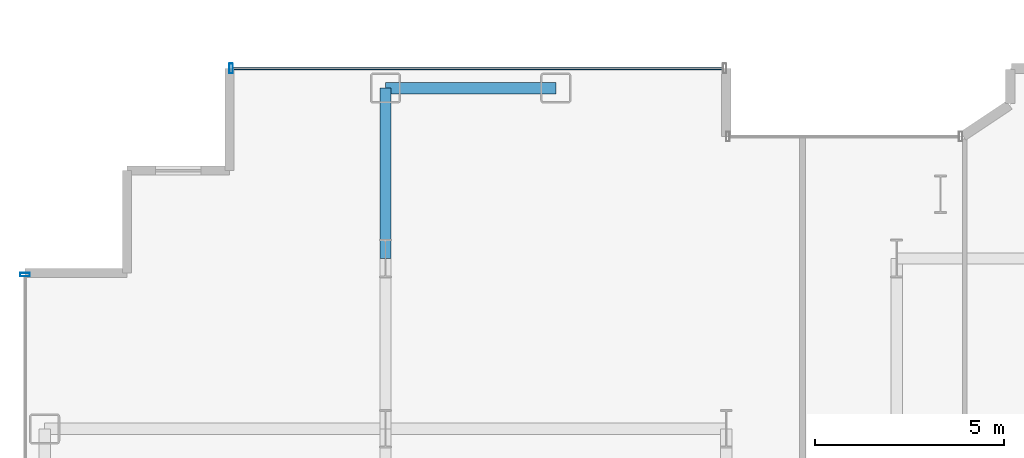
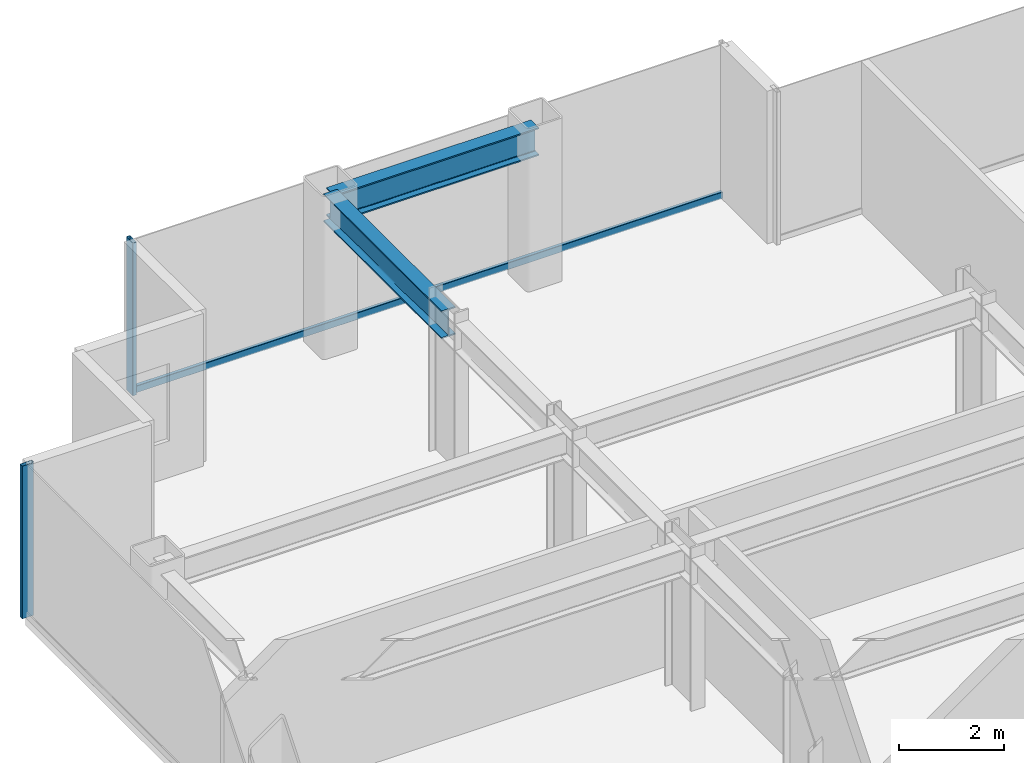
# One storey, part 9 of 25: 3 members, 2 beams, 2 elements without a shape of their own.
"""IFC4 building model written with IfcOpenShell, lengths in metres."""

from ifc_helpers import new_model, si_unit, direction, frame, origin, origin_2d, place, context, subcontext, project, spatial, hollow_rectangle, i_section, extrude, source, transform, mapped, material, layer, layer_set, material_profile, profile_set, type_object, element, aggregate, save


model = new_model("IFC4")

# Units and contexts
model_context = context("Model", 3, precision=1e-05, world=origin(), true_north=direction((0.0, 1.0)))
body_context = subcontext(model_context, "Body", "Model", "MODEL_VIEW")
ifc_project = project(units=[si_unit("LENGTHUNIT", "METRE"), si_unit("AREAUNIT", "SQUARE_METRE"), si_unit("VOLUMEUNIT", "CUBIC_METRE"), si_unit("PLANEANGLEUNIT", "RADIAN"), si_unit("MASSUNIT", "GRAM", prefix="KILO")], contexts=[model_context])

# Site, building, storey
site_placement = place(None, origin())
site = spatial("IfcSite", under=ifc_project, at=site_placement, CompositionType="ELEMENT")
building_placement = place(site_placement, origin())
building = spatial("IfcBuilding", under=site, at=building_placement, Name="Nefas-Gora Pilgrimage Tower", CompositionType="ELEMENT")
storey_placement = place(building_placement, frame((0.0, 0.0, 109.800048828125)))
storey = spatial("IfcBuildingStorey", under=building, at=storey_placement, Name="L26", CompositionType="ELEMENT", Elevation=109.800048828125)

# Beams
ifc_material_1 = material(Name="Steel S355", Category="steel")
ifc_material_profile_1 = material_profile(ifc_material_1, i_section(OverallWidth=0.300048828125, OverallDepth=0.64990234375, WebThickness=0.01611328125, FlangeThickness=0.031005859375, FilletRadius=0.027099609375, at=origin_2d()), Name="HEB 650")
ifc_profile_set_1 = profile_set([ifc_material_profile_1], Name="Steel S355")
beam_type_1 = type_object("IfcBeamType", Name="BM-SPN-HEB500", PredefinedType="SPANDREL", material=ifc_profile_set_1)
shared_shape_1 = source(origin(), body_context, "Body", "SweptSolid", [
    extrude(i_section(OverallWidth=0.300048828125, OverallDepth=0.64990234375, WebThickness=0.01611328125, FlangeThickness=0.031005859375, FilletRadius=0.027099609375, at=origin_2d()), origin(), (0.0, 0.0, 1.0), 4.5),
])
beam_1_placement = place(storey_placement, frame((-24.75, 22.5, 3.224853515625), z_axis=(1.0, 0.0, 0.0), x_axis=(0.0, 1.0, 0.0)))
element("IfcBeam", 1, at=beam_1_placement, inside=storey, type_object=beam_type_1, Name="L26 SP-02 beam", PredefinedType="SPANDREL", context=body_context, shape_type="MappedRepresentation", body=[
    mapped(shared_shape_1, transform((0.0, 0.0, 0.0), x_axis=(1.0, 0.0, 0.0), y_axis=(0.0, 1.0, 0.0), z_axis=(0.0, 0.0, 1.0), scale=1.0)),
])
ifc_material_profile_2 = material_profile(ifc_material_1, i_section(OverallWidth=0.300048828125, OverallDepth=0.64990234375, WebThickness=0.01611328125, FlangeThickness=0.031005859375, FilletRadius=0.027099609375, at=origin_2d()), Name="HEB 650")
ifc_profile_set_2 = profile_set([ifc_material_profile_2], Name="Steel S355")
beam_type_2 = type_object("IfcBeamType", Name="BM-GIR-HEB650", PredefinedType="BEAM", material=ifc_profile_set_2)
shared_shape_2 = source(origin(), body_context, "Body", "SweptSolid", [
    extrude(i_section(OverallWidth=0.300048828125, OverallDepth=0.64990234375, WebThickness=0.01611328125, FlangeThickness=0.031005859375, FilletRadius=0.027099609375, at=origin_2d()), origin(), (0.0, 0.0, 1.0), 4.5),
])
beam_2_placement = place(storey_placement, frame((-24.75, 18.0, 3.224853515625), z_axis=(0.0, 1.0, 0.0), x_axis=(-1.0, 0.0, 0.0)))
element("IfcBeam", 2, at=beam_2_placement, inside=storey, type_object=beam_type_2, Name="L26 G-03 beam", PredefinedType="BEAM", context=body_context, shape_type="MappedRepresentation", body=[
    mapped(shared_shape_2, transform((0.0, 0.0, 0.0), x_axis=(1.0, 0.0, 0.0), y_axis=(0.0, 1.0, 0.0), z_axis=(0.0, 0.0, 1.0), scale=1.0)),
])

# Curtain wall, member
ifc_material_2 = material(Name="Dark ceramic-fritted solar-control aluminium-glass curtain wall", Category="aluminium")
ifc_layer = layer(ifc_material_2, 0.219970703125)
ifc_layer_set = layer_set([ifc_layer], Name="Dark ceramic-fritted solar-control aluminium-glass curtain wall")
curtain_wall_type = type_object("IfcCurtainWallType", Name="CW-SYS-2", PredefinedType="NOTDEFINED", material=ifc_layer_set)
curtain_wall_1_placement = place(storey_placement, origin())
curtain_wall_1 = element("IfcCurtainWall", 3, at=curtain_wall_1_placement, inside=storey, type_object=curtain_wall_type, Name="L26 Unitised Curtain Wall CW2", PredefinedType="NOTDEFINED")
ifc_material_3 = material(Name="Anodised architectural aluminium", Category="aluminium")
ifc_material_profile_3 = material_profile(ifc_material_3, hollow_rectangle(XDim=0.090087890625, YDim=0.260009765625, WallThickness=0.006103515625, InnerFilletRadius=0.006103515625, OuterFilletRadius=0.011962890625, at=origin_2d()), Name="ALU MULLION 90x260")
ifc_profile_set_3 = profile_set([ifc_material_profile_3], Name="Anodised architectural aluminium")
member_type_1 = type_object("IfcMemberType", Name="CWM-MUL-2", PredefinedType="MULLION", material=ifc_profile_set_3)
shared_shape_3 = source(origin(), body_context, "Body", "SweptSolid", [
    extrude(hollow_rectangle(XDim=0.090087890625, YDim=0.260009765625, WallThickness=0.006103515625, InnerFilletRadius=0.006103515625, OuterFilletRadius=0.011962890625, at=origin_2d()), origin(), (0.0, 0.0, 1.0), 3.550048828125),
])
member_1_placement = place(storey_placement, frame((-28.824951171875, 23.02001953125, 0.0), z_axis=(0.0, 0.0, 1.0), x_axis=(-1.0, 0.0, 0.0)))
member_1 = element("IfcMember", 4, at=member_1_placement, type_object=member_type_1, Name="CW2 Mullion 2", PredefinedType="MULLION", context=body_context, shape_type="MappedRepresentation", body=[
    mapped(shared_shape_3, transform((0.0, 0.0, 0.0), x_axis=(1.0, 0.0, 0.0), y_axis=(0.0, 1.0, 0.0), z_axis=(0.0, 0.0, 1.0), scale=1.0)),
])

curtain_wall_2_placement = place(storey_placement, origin())
curtain_wall_2 = element("IfcCurtainWall", 5, at=curtain_wall_2_placement, inside=storey, type_object=curtain_wall_type, Name="L26 Unitised Curtain Wall CW2", PredefinedType="NOTDEFINED")
member_2_placement = place(storey_placement, frame((-34.27001953125, 17.574951171875, 0.0), z_axis=(0.0, 0.0, 1.0), x_axis=(0.0, -1.0, 0.0)))
member_2 = element("IfcMember", 6, at=member_2_placement, type_object=member_type_1, Name="CW2 Mullion 1", PredefinedType="MULLION", context=body_context, shape_type="MappedRepresentation", body=[
    mapped(shared_shape_3, transform((0.0, 0.0, 0.0), x_axis=(1.0, 0.0, 0.0), y_axis=(0.0, 1.0, 0.0), z_axis=(0.0, 0.0, 1.0), scale=1.0)),
])
aggregate(curtain_wall_2, [member_2])

# Member
ifc_material_profile_4 = material_profile(ifc_material_3, hollow_rectangle(XDim=0.080078125, YDim=0.159912109375, WallThickness=0.00439453125, InnerFilletRadius=0.00439453125, OuterFilletRadius=0.009033203125, at=origin_2d()), Name="ALU TRANSOM 80x160")
ifc_profile_set_4 = profile_set([ifc_material_profile_4], Name="Anodised architectural aluminium")
member_type_2 = type_object("IfcMemberType", Name="CWM-TRN-2", PredefinedType="USERDEFINED", material=ifc_profile_set_4)
shared_shape_4 = source(origin(), body_context, "Body", "SweptSolid", [
    extrude(hollow_rectangle(XDim=0.080078125, YDim=0.159912109375, WallThickness=0.00439453125, InnerFilletRadius=0.00439453125, OuterFilletRadius=0.009033203125, at=origin_2d()), origin(), (0.0, 0.0, 1.0), 12.93994140625),
])
member_3_placement = place(storey_placement, frame((-15.840087890625, 23.02001953125, 0.050048828125), z_axis=(-1.0, 0.0, 0.0), x_axis=(0.0, -1.0, 0.0)))
member_3 = element("IfcMember", 7, at=member_3_placement, type_object=member_type_2, Name="CW2 Spandrel Transom", ObjectType="TRANSOM", PredefinedType="USERDEFINED", context=body_context, shape_type="MappedRepresentation", body=[
    mapped(shared_shape_4, transform((0.0, 0.0, 0.0), x_axis=(1.0, 0.0, 0.0), y_axis=(0.0, 1.0, 0.0), z_axis=(0.0, 0.0, 1.0), scale=1.0)),
])

aggregate(curtain_wall_1, [member_1, member_3])

save(model, "model.ifc")
